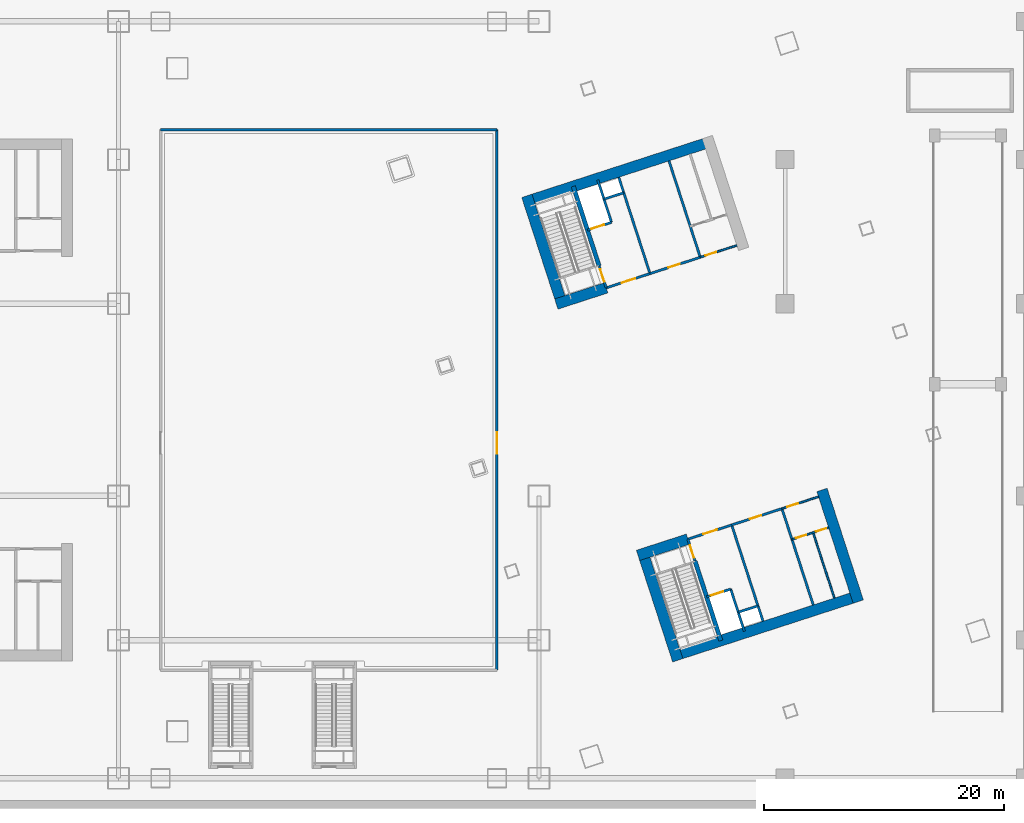
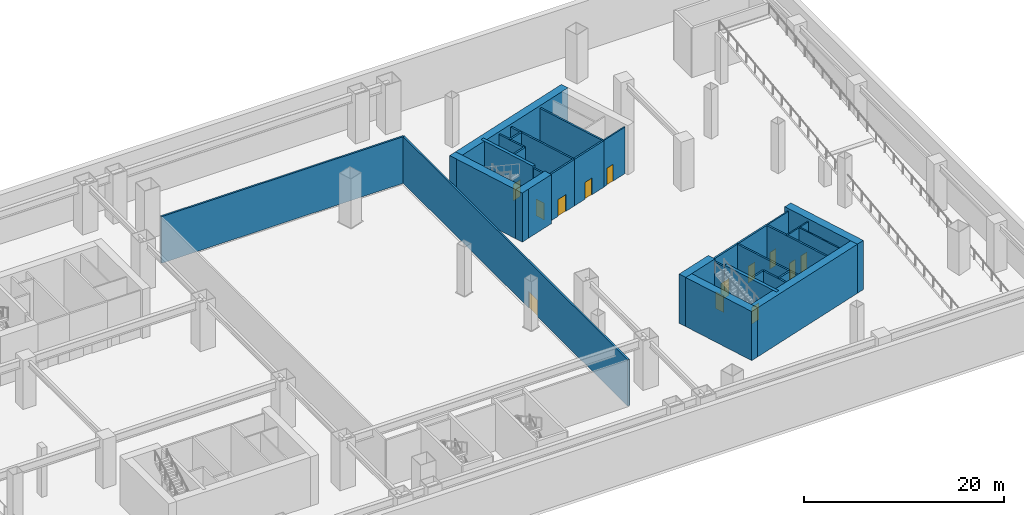
# One storey, part 9 of 20: 31 walls, 13 doors, 13 openings.
"""IFC4 building model written with IfcOpenShell, lengths in metres."""

import ifcopenshell
import ifcopenshell.guid

model = None  # the IFC model being written
_history = None  # IfcOwnerHistory: only IFC2X3 demands one
_inside = {}  # id of a spatial element -> (the spatial element, [elements in it])
_under = {}  # id of a project, library or spatial element -> (it, [spatial elements below it])
_declared = {}  # id of a project -> (the project, [libraries it declares])
_typed = {}  # id of a type object -> (the type object, [elements of that type])
_made_of = {}  # id of a material, layer set ... -> (it, [elements and type objects made of it])


def new_model(schema):
    """Start an empty IFC model of exactly this schema.

    Asked for "IFC4X3", IfcOpenShell would pick the latest addendum, in which some entities
    have other attributes; the version numbers below select the first issue.
    IFC2X3 requires an IfcOwnerHistory on every rooted entity: one is made here for all.
    """
    global model, _history
    if schema == "IFC4X3":
        model = ifcopenshell.file(schema_version=(4, 3, 0, 0))
    else:
        model = ifcopenshell.file(schema=schema)
    _inside.clear()
    _under.clear()
    _declared.clear()
    _typed.clear()
    _made_of.clear()
    _history = None
    if model.schema == "IFC2X3":
        org = make("IfcOrganization", Name="unknown")
        user = make(
            "IfcPersonAndOrganization",
            ThePerson=make("IfcPerson", FamilyName="unknown"),
            TheOrganization=org,
        )
        app = make(
            "IfcApplication",
            ApplicationDeveloper=org,
            Version="unknown",
            ApplicationFullName="unknown",
            ApplicationIdentifier="unknown",
        )
        _history = make(
            "IfcOwnerHistory",
            OwningUser=user,
            OwningApplication=app,
            ChangeAction="ADDED",
            CreationDate=0,
        )
    return model


def make(cls, **values):
    """One entity of the class cls with the attributes given. An attribute that is None is left unset."""
    return model.create_entity(
        cls, **{name: value for name, value in values.items() if value is not None}
    )


def rooted(cls, **values):
    """An entity with a GlobalId (a new one), such as an element, a storey or a relation."""
    return make(cls, GlobalId=ifcopenshell.guid.new(), OwnerHistory=_history, **values)


def si_unit(unit_type, name, prefix=None):
    """IfcSIUnit, for example si_unit("LENGTHUNIT", "METRE", prefix="MILLI")."""
    return make("IfcSIUnit", UnitType=unit_type, Prefix=prefix, Name=name)


def assignment(units):
    """IfcUnitAssignment: the units of a project."""
    return None if units is None else make("IfcUnitAssignment", Units=units)


def point(xyz):
    """IfcCartesianPoint."""
    return None if xyz is None else make("IfcCartesianPoint", Coordinates=xyz)


def direction(xyz):
    """IfcDirection."""
    return None if xyz is None else make("IfcDirection", DirectionRatios=xyz)


def frame(location, z_axis=None, x_axis=None):
    """IfcAxis2Placement3D, a coordinate frame: its origin and axes. An axis left out is left unset."""
    return make(
        "IfcAxis2Placement3D",
        Location=point(location),
        Axis=direction(z_axis),
        RefDirection=direction(x_axis),
    )


def frame_2d(location, x_axis=None):
    """IfcAxis2Placement2D, a coordinate frame in the plane: its origin and x axis."""
    return make(
        "IfcAxis2Placement2D", Location=point(location), RefDirection=direction(x_axis)
    )


def origin():
    """The frame at (0, 0, 0) with its axes left unset."""
    return frame((0.0, 0.0, 0.0))


def place(relative_to, where):
    """IfcLocalPlacement: puts the frame where relative to a parent placement (None: the world)."""
    return make(
        "IfcLocalPlacement", PlacementRelTo=relative_to, RelativePlacement=where
    )


def context(
    kind, dimensions, precision=None, world=None, true_north=None, identifier=None
):
    """IfcGeometricRepresentationContext, for example the 3D "Model" context."""
    return make(
        "IfcGeometricRepresentationContext",
        ContextIdentifier=identifier,
        ContextType=kind,
        CoordinateSpaceDimension=dimensions,
        Precision=precision,
        WorldCoordinateSystem=world,
        TrueNorth=true_north,
    )


def subcontext(parent, identifier, kind, view, scale=None):
    """IfcGeometricRepresentationSubContext, for example "Body" below "Model"."""
    return make(
        "IfcGeometricRepresentationSubContext",
        ContextIdentifier=identifier,
        ContextType=kind,
        ParentContext=parent,
        TargetScale=scale,
        TargetView=view,
    )


def project(units=None, contexts=None):
    """IfcProject with its units and contexts."""
    return rooted(
        "IfcProject",
        Name="project",
        RepresentationContexts=contexts,
        UnitsInContext=assignment(units),
    )


def spatial(cls, under=None, at=None, **own):
    """A site, building, storey or space (cls), placed at a placement, below another one or the project."""
    s = rooted(cls, ObjectPlacement=at, **own)
    if under is not None:
        _under.setdefault(under.id(), (under, []))[1].append(s)
    return s


def profile(cls, at=None, kind="AREA", **sizes):
    """A parametric profile (cls). Its sizes go by their IFC names, for example OverallWidth=200.0."""
    return make(cls, ProfileType=kind, Position=at, **sizes)


def rectangle(**sizes):
    """IfcRectangleProfileDef."""
    return profile("IfcRectangleProfileDef", **sizes)


def extrude(swept, where, along, depth):
    """IfcExtrudedAreaSolid: the profile swept, set in the frame where, extruded along a direction by depth."""
    return make(
        "IfcExtrudedAreaSolid",
        SweptArea=swept,
        Position=where,
        ExtrudedDirection=direction(along),
        Depth=depth,
    )


def shape(context_of_items, identifier, shape_type, items):
    """IfcShapeRepresentation: the items that make up one representation, for example the "Body"."""
    return make(
        "IfcShapeRepresentation",
        ContextOfItems=context_of_items,
        RepresentationIdentifier=identifier,
        RepresentationType=shape_type,
        Items=items,
    )


def material(Name=None, Category=None):
    """IfcMaterial."""
    return make("IfcMaterial", Name=Name, Category=Category)


def layer(
    of_material, thickness, ventilated=None, Name=None, Category=None, Priority=None
):
    """IfcMaterialLayer: one layer of a wall or slab, of a material (None: an air gap)."""
    return make(
        "IfcMaterialLayer",
        Material=of_material,
        LayerThickness=thickness,
        IsVentilated=ventilated,
        Name=Name,
        Category=Category,
        Priority=Priority,
    )


def layer_set(layers, Name=None):
    """IfcMaterialLayerSet."""
    return make("IfcMaterialLayerSet", MaterialLayers=layers, LayerSetName=Name)


def made_of(thing, what):
    """Note that an element or type object is made of a material, layer set ...; save() writes the relation."""
    if what is not None:
        _made_of.setdefault(what.id(), (what, []))[1].append(thing)
    return thing


def type_object(cls, material=None, **own):
    """A type object (cls), such as IfcWallType, which elements share."""
    return made_of(rooted(cls, **own), material)


def element(
    cls,
    number,
    at=None,
    inside=None,
    cuts=None,
    type_object=None,
    material=None,
    context=None,
    identifier="Body",
    shape_type=None,
    held_by="IfcProductDefinitionShape",
    body=None,
    shapes=None,
    **own,
):
    """One element of the class cls, such as IfcWall. Its Tag is "e" and its number.

    at: its placement. inside: the storey or other place that contains it. cuts: it is an
    opening in that element (IfcRelVoidsElement). A single representation is given by context,
    identifier, shape_type and body (its items); several are given by shapes. held_by: the class
    of the entity that holds the representations. save() writes the other relations.
    """
    e = rooted(cls, Tag="e%d" % number, ObjectPlacement=at, **own)
    if body is not None:
        shapes = [shape(context, identifier, shape_type, body)]
    if shapes is not None:
        e.Representation = make(held_by, Representations=shapes)
    if inside is not None:
        _inside.setdefault(inside.id(), (inside, []))[1].append(e)
    if cuts is not None:
        rooted(
            "IfcRelVoidsElement", RelatingBuildingElement=cuts, RelatedOpeningElement=e
        )
    if type_object is not None:
        _typed.setdefault(type_object.id(), (type_object, []))[1].append(e)
    return made_of(e, material)


def fill(opening, filler):
    """IfcRelFillsElement: the door or window that sits in an opening."""
    return rooted(
        "IfcRelFillsElement",
        RelatingOpeningElement=opening,
        RelatedBuildingElement=filler,
    )


def aggregate(whole, parts):
    """IfcRelAggregates: a whole, such as a stair, and the parts it consists of."""
    return rooted("IfcRelAggregates", RelatingObject=whole, RelatedObjects=parts)


def save(model, path):
    """Write the relations noted so far, then the file.

    IfcRelAggregates (storeys below a building ...), IfcRelContainedInSpatialStructure (elements
    in a storey), IfcRelDefinesByType, IfcRelAssociatesMaterial and IfcRelDeclares: one each for
    every whole, place, type object, material and project.
    """
    for whole, parts in _under.values():
        aggregate(whole, parts)
    for where, things in _inside.values():
        rooted(
            "IfcRelContainedInSpatialStructure",
            RelatedElements=things,
            RelatingStructure=where,
        )
    for kind, things in _typed.values():
        rooted("IfcRelDefinesByType", RelatedObjects=things, RelatingType=kind)
    for what, things in _made_of.values():
        rooted("IfcRelAssociatesMaterial", RelatedObjects=things, RelatingMaterial=what)
    for by, libraries in _declared.values():
        rooted("IfcRelDeclares", RelatingContext=by, RelatedDefinitions=libraries)
    model.write(path)


model = new_model("IFC4")

# Units and contexts
model_context = context("Model", 3, precision=1e-05, world=origin(), true_north=direction((0.0, 1.0)))
body_context = subcontext(model_context, "Body", "Model", "MODEL_VIEW")
ifc_project = project(units=[si_unit("LENGTHUNIT", "METRE"), si_unit("AREAUNIT", "SQUARE_METRE"), si_unit("VOLUMEUNIT", "CUBIC_METRE"), si_unit("PLANEANGLEUNIT", "RADIAN"), si_unit("MASSUNIT", "GRAM", prefix="KILO")], contexts=[model_context])

# Site, building, storey
site_placement = place(None, origin())
site = spatial("IfcSite", under=ifc_project, at=site_placement, CompositionType="ELEMENT")
building_placement = place(site_placement, origin())
building = spatial("IfcBuilding", under=site, at=building_placement, Name="Qiaolan Cultural Towers", CompositionType="ELEMENT")
storey_placement = place(building_placement, frame((0.0, 0.0, -6.0)))
storey = spatial("IfcBuildingStorey", under=building, at=storey_placement, Name="B1", CompositionType="ELEMENT", Elevation=-6.0)

# Walls
ifc_material_1 = material(Name="Concrete C50", Category="concrete")
ifc_layer_1 = layer(ifc_material_1, 0.35009765625)
ifc_layer_set_1 = layer_set([ifc_layer_1], Name="Concrete C50")
wall_type_1 = type_object("IfcWallType", Name="WL-CORE-350", PredefinedType="SHEAR", material=ifc_layer_set_1)
for number, where, z_axis, x_axis, name in (
    (1, (90.486328125, 20.59423828125, 0.0), (0.0, 0.0, 1.0), (0.309020428229, -0.951055400562, 0.0), "B1 T2-CS Stair Core Dividing Web"),
    (2, (82.513671875, 45.13134765625, 0.0), (0.0, 0.0, 1.0), (-0.308988790936, 0.951065679686, 0.0), "B1 T2-CN Stair Core Dividing Web"),
):
    element("IfcWall", number, at=place(storey_placement, frame(where, z_axis=z_axis, x_axis=x_axis)), inside=storey, type_object=wall_type_1, Name=name, PredefinedType="SHEAR", context=body_context, shape_type="SweptSolid", body=[
        extrude(rectangle(XDim=6.97998046875, YDim=0.35009765625, at=frame_2d((3.489990234375, 0.0))), origin(), (0.0, 0.0, 1.0), 6.0),
    ])
ifc_material_2 = material(Name="Concrete C60", Category="concrete")
ifc_layer_2 = layer(ifc_material_2, 0.89990234375)
ifc_layer_set_2 = layer_set([ifc_layer_2], Name="Concrete C60")
wall_type_2 = type_object("IfcWallType", Name="WL-CORE-900", PredefinedType="SHEAR", material=ifc_layer_set_2)
wall_1_placement = place(storey_placement, frame((88.4873046875, 12.60546875, 0.0), z_axis=(0.0, 0.0, 1.0), x_axis=(0.951055016115, 0.309021611416, 0.0)))
element("IfcWall", 3, at=wall_1_placement, inside=storey, type_object=wall_type_2, Name="B1 T2-CS Outer Core Shear Wall", PredefinedType="SHEAR", context=body_context, shape_type="SweptSolid", body=[
    extrude(rectangle(XDim=16.699951171875, YDim=0.89990234375, at=frame_2d((8.35009765625, 0.0))), origin(), (0.0, 0.0, 1.0), 6.0),
])
wall_2_placement = place(storey_placement, frame((86.031982421875, 21.617919921875, 0.0), z_axis=(0.0, 0.0, 1.0), x_axis=(0.30901438634, -0.951057363693, 0.0)))
element("IfcWall", 4, at=wall_2_placement, inside=storey, type_object=wall_type_2, Name="B1 T2-CS West Core Shear Wall", PredefinedType="SHEAR", context=body_context, shape_type="SweptSolid", body=[
    extrude(rectangle(XDim=9.7802734375, YDim=0.89990234375, at=frame_2d((4.89013671875, 0.0))), origin(), (0.0, 0.0, 1.0), 6.0),
])
wall_3_placement = place(storey_placement, frame((101.058837890625, 26.500244140625, 0.0), z_axis=(0.0, 0.0, 1.0), x_axis=(0.309021722829, -0.951054979914, 0.0)))
element("IfcWall", 5, at=wall_3_placement, inside=storey, type_object=wall_type_2, Name="B1 T2-CS East Core Shear Wall", PredefinedType="SHEAR", context=body_context, shape_type="SweptSolid", body=[
    extrude(rectangle(XDim=9.780029296875, YDim=0.89990234375, at=frame_2d((4.89013671875, 0.0))), origin(), (0.0, 0.0, 1.0), 6.0),
])
wall_4_placement = place(storey_placement, frame((85.7431640625, 21.05078125, 0.0), z_axis=(0.0, 0.0, 1.0), x_axis=(0.951063623806, 0.308995118848, 0.0)))
element("IfcWall", 6, at=wall_4_placement, inside=storey, type_object=wall_type_2, Name="B1 T2-CS Stair Front Shear Wall", PredefinedType="SHEAR", context=body_context, shape_type="SweptSolid", body=[
    extrude(rectangle(XDim=4.3701171875, YDim=0.89990234375, at=frame_2d((2.18505859375, 0.0))), origin(), (0.0, 0.0, 1.0), 6.0),
])
wall_5_placement = place(storey_placement, frame((76.20068359375, 50.41943359375, 0.0), z_axis=(0.0, 0.0, 1.0), x_axis=(0.951056412142, 0.309017314926, 0.0)))
element("IfcWall", 7, at=wall_5_placement, inside=storey, type_object=wall_type_2, Name="B1 T2-CN Outer Core Shear Wall", PredefinedType="SHEAR", context=body_context, shape_type="SweptSolid", body=[
    extrude(rectangle(XDim=16.7001953125, YDim=0.89990234375, at=frame_2d((8.35009765625, 0.0))), origin(), (0.0, 0.0, 1.0), 6.0),
])
wall_6_placement = place(storey_placement, frame((79.511962890625, 41.68505859375, 0.0), z_axis=(0.0, 0.0, 1.0), x_axis=(-0.309021722829, 0.951054979914, 0.0)))
element("IfcWall", 8, at=wall_6_placement, inside=storey, type_object=wall_type_2, Name="B1 T2-CN West Core Shear Wall", PredefinedType="SHEAR", context=body_context, shape_type="SweptSolid", body=[
    extrude(rectangle(XDim=9.780029296875, YDim=0.89990234375, at=frame_2d((4.89013671875, 0.0))), origin(), (0.0, 0.0, 1.0), 6.0),
])
wall_7_placement = place(storey_placement, frame((78.94482421875, 41.97412109375, 0.0), z_axis=(0.0, 0.0, 1.0), x_axis=(0.951058289404, 0.309011537255, 0.0)))
element("IfcWall", 9, at=wall_7_placement, inside=storey, type_object=wall_type_2, Name="B1 T2-CN Stair Front Shear Wall", PredefinedType="SHEAR", context=body_context, shape_type="SweptSolid", body=[
    extrude(rectangle(XDim=4.369873046875, YDim=0.89990234375, at=frame_2d((2.18505859375, 0.0))), origin(), (0.0, 0.0, 1.0), 6.0),
])

# Wall, opening, door
ifc_material_3 = material(Name="Concrete C35 Fire Wall", Category="concrete")
ifc_layer_3 = layer(ifc_material_3, 0.199951171875)
ifc_layer_set_3 = layer_set([ifc_layer_3], Name="Concrete C35 Fire Wall")
wall_type_3 = type_object("IfcWallType", Name="WL-FIRE-200", PredefinedType="PARTITIONING", material=ifc_layer_set_3)
wall_8_placement = place(storey_placement, frame((89.8994140625, 22.401123046875, 0.0), z_axis=(0.0, 0.0, 1.0), x_axis=(0.308932062672, -0.951084108086, 0.0)))
wall_8 = element("IfcWall", 10, at=wall_8_placement, inside=storey, type_object=wall_type_3, Name="B1 T2-CS Smokeproof Stair Entry Wall", PredefinedType="PARTITIONING", context=body_context, shape_type="SweptSolid", body=[
    extrude(rectangle(XDim=1.89990234375, YDim=0.199951171875, at=frame_2d((0.949951171875, 0.0))), origin(), (0.0, 0.0, 1.0), 5.68505859375),
])
opening_1_placement = place(wall_8_placement, frame((0.52001953125, 0.0, 0.0)))
opening_1 = element("IfcOpeningElement", 11, at=opening_1_placement, cuts=wall_8, Name="Opening FD-04", PredefinedType="OPENING", context=body_context, shape_type="SweptSolid", body=[
    extrude(rectangle(XDim=1.10009765625, YDim=2.050048828125, at=frame_2d((0.550048828125, 1.02490234375))), frame((0.0, 0.10986328125, 0.0), z_axis=(0.0, -1.0, 0.0), x_axis=(1.0, 0.0, 0.0)), (0.0, 0.0, 1.0), 0.219970703125),
])
ifc_material_4 = material(Name="Galvanized Steel Command Fire Door", Category="steel")
door_type_1 = type_object("IfcDoorType", Name="DR-FD90-1100", OperationType="NOTDEFINED", PredefinedType="DOOR", material=ifc_material_4)
door_1_placement = place(opening_1_placement, origin())
door_1 = element("IfcDoor", 12, at=door_1_placement, inside=storey, type_object=door_type_1, Name="B1 ST-E1 Smokeproof Stair Fire Door", OperationType="SINGLE_SWING_LEFT", OverallHeight=2.050048828125, OverallWidth=1.10009765625, PredefinedType="DOOR", context=body_context, shape_type="SweptSolid", body=[
    extrude(rectangle(XDim=1.10009765625, YDim=2.050048828125, at=frame_2d((0.550048828125, 1.02490234375))), frame((0.0, 0.02490234375, 0.0), z_axis=(0.0, -1.0, 0.0), x_axis=(1.0, 0.0, 0.0)), (0.0, 0.0, 1.0), 0.050048828125),
])
fill(opening_1, door_1)

# Wall
wall_9_placement = place(storey_placement, frame((93.541748046875, 23.584716796875, 0.0), z_axis=(0.0, 0.0, 1.0), x_axis=(0.309042196757, -0.951048327176, 0.0)))
element("IfcWall", 13, at=wall_9_placement, inside=storey, type_object=wall_type_3, Name="B1 T2-CS Firefighting Zone Wall", PredefinedType="PARTITIONING", context=body_context, shape_type="SweptSolid", body=[
    extrude(rectangle(XDim=8.429931640625, YDim=0.199951171875, at=frame_2d((4.21484375, 0.0))), origin(), (0.0, 0.0, 1.0), 5.68505859375),
])

# Wall, opening, door
wall_10_placement = place(storey_placement, frame((89.8994140625, 22.401123046875, 0.0), z_axis=(0.0, 0.0, 1.0), x_axis=(0.951046716504, 0.309047153403, 0.0)))
wall_10 = element("IfcWall", 14, at=wall_10_placement, inside=storey, type_object=wall_type_3, Name="B1 T2-CS Firefighting Lobby Front Wall", PredefinedType="PARTITIONING", context=body_context, shape_type="SweptSolid", body=[
    extrude(rectangle(XDim=3.829833984375, YDim=0.199951171875, at=frame_2d((1.9150390625, 0.0))), origin(), (0.0, 0.0, 1.0), 5.68505859375),
])
opening_2_placement = place(wall_10_placement, frame((1.35009765625, 0.0, 0.0)))
opening_2 = element("IfcOpeningElement", 15, at=opening_2_placement, cuts=wall_10, Name="Opening FD-03", PredefinedType="OPENING", context=body_context, shape_type="SweptSolid", body=[
    extrude(rectangle(XDim=1.199951171875, YDim=2.050048828125, at=frame_2d((0.60009765625, 1.02490234375))), frame((0.0, 0.10986328125, 0.0), z_axis=(0.0, -1.0, 0.0), x_axis=(1.0, 0.0, 0.0)), (0.0, 0.0, 1.0), 0.219970703125),
])
ifc_material_5 = material(Name="Galvanized Steel Smokeproof Lobby Fire Door", Category="steel")
door_type_2 = type_object("IfcDoorType", Name="DR-FD90-1200", OperationType="NOTDEFINED", PredefinedType="DOOR", material=ifc_material_5)
door_2_placement = place(opening_2_placement, origin())
door_2 = element("IfcDoor", 16, at=door_2_placement, inside=storey, type_object=door_type_2, Name="B1 FFL-E1 Firefighting Lobby Fire Door", OperationType="SINGLE_SWING_LEFT", OverallHeight=2.050048828125, OverallWidth=1.199951171875, PredefinedType="DOOR", context=body_context, shape_type="SweptSolid", body=[
    extrude(rectangle(XDim=1.199951171875, YDim=2.050048828125, at=frame_2d((0.60009765625, 1.02490234375))), frame((0.0, 0.02490234375, 0.0), z_axis=(0.0, -1.0, 0.0), x_axis=(1.0, 0.0, 0.0)), (0.0, 0.0, 1.0), 0.050048828125),
])
fill(opening_2, door_2)

wall_11_placement = place(storey_placement, frame((91.459716796875, 17.598388671875, 0.0), z_axis=(0.0, 0.0, 1.0), x_axis=(0.951062257173, 0.308999325213, 0.0)))
wall_11 = element("IfcWall", 17, at=wall_11_placement, inside=storey, type_object=wall_type_3, Name="B1 T2-CS Firefighting Shaft Front Wall", PredefinedType="PARTITIONING", context=body_context, shape_type="SweptSolid", body=[
    extrude(rectangle(XDim=2.10009765625, YDim=0.199951171875, at=frame_2d((1.050048828125, 0.0))), origin(), (0.0, 0.0, 1.0), 5.68505859375),
])
opening_3_placement = place(wall_11_placement, frame((0.35009765625, 0.0, 0.0)))
opening_3 = element("IfcOpeningElement", 18, at=opening_3_placement, cuts=wall_11, Name="Opening LD-01", PredefinedType="OPENING", context=body_context, shape_type="SweptSolid", body=[
    extrude(rectangle(XDim=1.10009765625, YDim=2.050048828125, at=frame_2d((0.550048828125, 1.02490234375))), frame((0.0, 0.10986328125, 0.0), z_axis=(0.0, -1.0, 0.0), x_axis=(1.0, 0.0, 0.0)), (0.0, 0.0, 1.0), 0.219970703125),
])
ifc_material_6 = material(Name="Brushed Stainless Steel S30408 Centre-Parting Lift Landing Door", Category="steel")
door_type_3 = type_object("IfcDoorType", Name="DR-LIFT-1100", OperationType="NOTDEFINED", PredefinedType="DOOR", material=ifc_material_6)
door_3_placement = place(opening_3_placement, origin())
door_3 = element("IfcDoor", 19, at=door_3_placement, inside=storey, type_object=door_type_3, Name="B1 FFL-E1 Firefighting Lift Landing Door", OperationType="DOUBLE_DOOR_SLIDING", OverallHeight=2.050048828125, OverallWidth=1.10009765625, PredefinedType="DOOR", context=body_context, shape_type="SweptSolid", body=[
    extrude(rectangle(XDim=1.10009765625, YDim=2.050048828125, at=frame_2d((0.550048828125, 1.02490234375))), frame((0.0, 0.02490234375, 0.0), z_axis=(0.0, -1.0, 0.0), x_axis=(1.0, 0.0, 0.0)), (0.0, 0.0, 1.0), 0.050048828125),
])
fill(opening_3, door_3)

# Walls
wall_12_placement = place(storey_placement, frame((93.45703125, 18.247314453125, 0.0), z_axis=(0.0, 0.0, 1.0), x_axis=(0.3089935693, -0.951064127245, 0.0)))
element("IfcWall", 20, at=wall_12_placement, inside=storey, type_object=wall_type_3, Name="B1 T2-CS Firefighting Hoistway East Wall", PredefinedType="PARTITIONING", context=body_context, shape_type="SweptSolid", body=[
    extrude(rectangle(XDim=3.7001953125, YDim=0.199951171875, at=frame_2d((1.85009765625, 0.0))), origin(), (0.0, 0.0, 1.0), 5.68505859375),
])
wall_13_placement = place(storey_placement, frame((94.08447265625, 16.316650390625, 0.0), z_axis=(0.0, 0.0, 1.0), x_axis=(0.951041328149, 0.309063734775, 0.0)))
element("IfcWall", 21, at=wall_13_placement, inside=storey, type_object=wall_type_3, Name="B1 T2-CS Pressurization Shaft Front Wall", PredefinedType="PARTITIONING", context=body_context, shape_type="SweptSolid", body=[
    extrude(rectangle(XDim=1.72998046875, YDim=0.199951171875, at=frame_2d((0.864990234375, 0.0))), origin(), (0.0, 0.0, 1.0), 5.68505859375),
])
wall_14_placement = place(storey_placement, frame((97.7265625, 24.9443359375, 0.0), z_axis=(0.0, 0.0, 1.0), x_axis=(0.309016001439, -0.951056838919, 0.0)))
element("IfcWall", 22, at=wall_14_placement, inside=storey, type_object=wall_type_3, Name="B1 T2-CS Lift Core East Wall", PredefinedType="PARTITIONING", context=body_context, shape_type="SweptSolid", body=[
    extrude(rectangle(XDim=8.429931640625, YDim=0.199951171875, at=frame_2d((4.21484375, 0.0))), origin(), (0.0, 0.0, 1.0), 5.68505859375),
])

# Wall, opening, door
wall_15_placement = place(storey_placement, frame((93.541748046875, 23.584716796875, 0.0), z_axis=(0.0, 0.0, 1.0), x_axis=(0.951063829732, 0.308994485023, 0.0)))
wall_15 = element("IfcWall", 23, at=wall_15_placement, inside=storey, type_object=wall_type_3, Name="B1 T2-CS Basement Core Store Front Wall", PredefinedType="PARTITIONING", context=body_context, shape_type="SweptSolid", body=[
    extrude(rectangle(XDim=4.400146484375, YDim=0.199951171875, at=frame_2d((2.2001953125, 0.0))), origin(), (0.0, 0.0, 1.0), 5.68505859375),
])
opening_4_placement = place(wall_15_placement, frame((1.60009765625, 0.0, 0.0)))
opening_4 = element("IfcOpeningElement", 24, at=opening_4_placement, cuts=wall_15, Name="Opening FD-07", PredefinedType="OPENING", context=body_context, shape_type="SweptSolid", body=[
    extrude(rectangle(XDim=1.0, YDim=2.050048828125, at=frame_2d((0.5, 1.02490234375))), frame((0.0, 0.10986328125, 0.0), z_axis=(0.0, -1.0, 0.0), x_axis=(1.0, 0.0, 0.0)), (0.0, 0.0, 1.0), 0.219970703125),
])
ifc_material_7 = material(Name="Painted Steel Riser Fire Door", Category="steel")
door_type_4 = type_object("IfcDoorType", Name="DR-FD60-1000", OperationType="NOTDEFINED", PredefinedType="DOOR", material=ifc_material_7)
door_4_placement = place(opening_4_placement, origin())
door_4 = element("IfcDoor", 25, at=door_4_placement, inside=storey, type_object=door_type_4, Name="B1 Core Maintenance Store Door", OperationType="SINGLE_SWING_LEFT", OverallHeight=2.050048828125, OverallWidth=1.0, PredefinedType="DOOR", context=body_context, shape_type="SweptSolid", body=[
    extrude(rectangle(XDim=1.0, YDim=2.050048828125, at=frame_2d((0.5, 1.02490234375))), frame((0.0, 0.02490234375, 0.0), z_axis=(0.0, -1.0, 0.0), x_axis=(1.0, 0.0, 0.0)), (0.0, 0.0, 1.0), 0.050048828125),
])
fill(opening_4, door_4)

wall_16_placement = place(storey_placement, frame((83.100830078125, 43.324462890625, 0.0), z_axis=(0.0, 0.0, 1.0), x_axis=(-0.309048298632, 0.951046344356, 0.0)))
wall_16 = element("IfcWall", 26, at=wall_16_placement, inside=storey, type_object=wall_type_3, Name="B1 T2-CN Smokeproof Stair Entry Wall", PredefinedType="PARTITIONING", context=body_context, shape_type="SweptSolid", body=[
    extrude(rectangle(XDim=1.89990234375, YDim=0.199951171875, at=frame_2d((0.949951171875, 0.0))), origin(), (0.0, 0.0, 1.0), 5.68505859375),
])
opening_5_placement = place(wall_16_placement, frame((0.52001953125, 0.0, 0.0)))
opening_5 = element("IfcOpeningElement", 27, at=opening_5_placement, cuts=wall_16, Name="Opening FD-04", PredefinedType="OPENING", context=body_context, shape_type="SweptSolid", body=[
    extrude(rectangle(XDim=1.10009765625, YDim=2.050048828125, at=frame_2d((0.550048828125, 1.02490234375))), frame((0.0, 0.10986328125, 0.0), z_axis=(0.0, -1.0, 0.0), x_axis=(1.0, 0.0, 0.0)), (0.0, 0.0, 1.0), 0.219970703125),
])
door_5_placement = place(opening_5_placement, origin())
door_5 = element("IfcDoor", 28, at=door_5_placement, inside=storey, type_object=door_type_1, Name="B1 ST-E2 Smokeproof Stair Fire Door", OperationType="SINGLE_SWING_LEFT", OverallHeight=2.050048828125, OverallWidth=1.10009765625, PredefinedType="DOOR", context=body_context, shape_type="SweptSolid", body=[
    extrude(rectangle(XDim=1.10009765625, YDim=2.050048828125, at=frame_2d((0.550048828125, 1.02490234375))), frame((0.0, 0.02490234375, 0.0), z_axis=(0.0, -1.0, 0.0), x_axis=(1.0, 0.0, 0.0)), (0.0, 0.0, 1.0), 0.050048828125),
])
fill(opening_5, door_5)

# Wall
wall_17_placement = place(storey_placement, frame((86.743408203125, 44.508056640625, 0.0), z_axis=(0.0, 0.0, 1.0), x_axis=(-0.309016001439, 0.951056838919, 0.0)))
element("IfcWall", 29, at=wall_17_placement, inside=storey, type_object=wall_type_3, Name="B1 T2-CN Firefighting Zone Wall", PredefinedType="PARTITIONING", context=body_context, shape_type="SweptSolid", body=[
    extrude(rectangle(XDim=8.429931640625, YDim=0.199951171875, at=frame_2d((4.21484375, 0.0))), origin(), (0.0, 0.0, 1.0), 5.68505859375),
])

# Wall, opening, door
wall_18_placement = place(storey_placement, frame((83.100830078125, 43.324462890625, 0.0), z_axis=(0.0, 0.0, 1.0), x_axis=(0.951052804469, 0.309028417967, 0.0)))
wall_18 = element("IfcWall", 30, at=wall_18_placement, inside=storey, type_object=wall_type_3, Name="B1 T2-CN Firefighting Lobby Front Wall", PredefinedType="PARTITIONING", context=body_context, shape_type="SweptSolid", body=[
    extrude(rectangle(XDim=3.830078125, YDim=0.199951171875, at=frame_2d((1.9150390625, 0.0))), origin(), (0.0, 0.0, 1.0), 5.68505859375),
])
opening_6_placement = place(wall_18_placement, frame((1.35009765625, 0.0, 0.0)))
opening_6 = element("IfcOpeningElement", 31, at=opening_6_placement, cuts=wall_18, Name="Opening FD-03", PredefinedType="OPENING", context=body_context, shape_type="SweptSolid", body=[
    extrude(rectangle(XDim=1.199951171875, YDim=2.050048828125, at=frame_2d((0.60009765625, 1.02490234375))), frame((0.0, 0.10986328125, 0.0), z_axis=(0.0, -1.0, 0.0), x_axis=(1.0, 0.0, 0.0)), (0.0, 0.0, 1.0), 0.219970703125),
])
door_6_placement = place(opening_6_placement, origin())
door_6 = element("IfcDoor", 32, at=door_6_placement, inside=storey, type_object=door_type_2, Name="B1 FFL-E2 Firefighting Lobby Fire Door", OperationType="SINGLE_SWING_LEFT", OverallHeight=2.050048828125, OverallWidth=1.199951171875, PredefinedType="DOOR", context=body_context, shape_type="SweptSolid", body=[
    extrude(rectangle(XDim=1.199951171875, YDim=2.050048828125, at=frame_2d((0.60009765625, 1.02490234375))), frame((0.0, 0.02490234375, 0.0), z_axis=(0.0, -1.0, 0.0), x_axis=(1.0, 0.0, 0.0)), (0.0, 0.0, 1.0), 0.050048828125),
])
fill(opening_6, door_6)

wall_19_placement = place(storey_placement, frame((81.540283203125, 48.127197265625, 0.0), z_axis=(0.0, 0.0, 1.0), x_axis=(0.951062257173, 0.308999325213, 0.0)))
wall_19 = element("IfcWall", 33, at=wall_19_placement, inside=storey, type_object=wall_type_3, Name="B1 T2-CN Firefighting Shaft Front Wall", PredefinedType="PARTITIONING", context=body_context, shape_type="SweptSolid", body=[
    extrude(rectangle(XDim=2.10009765625, YDim=0.199951171875, at=frame_2d((1.050048828125, 0.0))), origin(), (0.0, 0.0, 1.0), 5.68505859375),
])
opening_7_placement = place(wall_19_placement, frame((0.35009765625, 0.0, 0.0)))
opening_7 = element("IfcOpeningElement", 34, at=opening_7_placement, cuts=wall_19, Name="Opening LD-01", PredefinedType="OPENING", context=body_context, shape_type="SweptSolid", body=[
    extrude(rectangle(XDim=1.10009765625, YDim=2.050048828125, at=frame_2d((0.550048828125, 1.02490234375))), frame((0.0, 0.10986328125, 0.0), z_axis=(0.0, -1.0, 0.0), x_axis=(1.0, 0.0, 0.0)), (0.0, 0.0, 1.0), 0.219970703125),
])
door_7_placement = place(opening_7_placement, origin())
door_7 = element("IfcDoor", 35, at=door_7_placement, inside=storey, type_object=door_type_3, Name="B1 FFL-E2 Firefighting Lift Landing Door", OperationType="DOUBLE_DOOR_SLIDING", OverallHeight=2.050048828125, OverallWidth=1.10009765625, PredefinedType="DOOR", context=body_context, shape_type="SweptSolid", body=[
    extrude(rectangle(XDim=1.10009765625, YDim=2.050048828125, at=frame_2d((0.550048828125, 1.02490234375))), frame((0.0, 0.02490234375, 0.0), z_axis=(0.0, -1.0, 0.0), x_axis=(1.0, 0.0, 0.0)), (0.0, 0.0, 1.0), 0.050048828125),
])
fill(opening_7, door_7)

# Walls
wall_20_placement = place(storey_placement, frame((83.53759765625, 48.776123046875, 0.0), z_axis=(0.0, 0.0, 1.0), x_axis=(-0.3089935693, 0.951064127245, 0.0)))
element("IfcWall", 36, at=wall_20_placement, inside=storey, type_object=wall_type_3, Name="B1 T2-CN Firefighting Hoistway East Wall", PredefinedType="PARTITIONING", context=body_context, shape_type="SweptSolid", body=[
    extrude(rectangle(XDim=3.7001953125, YDim=0.199951171875, at=frame_2d((1.85009765625, 0.0))), origin(), (0.0, 0.0, 1.0), 5.68505859375),
])
wall_21_placement = place(storey_placement, frame((82.910400390625, 50.706787109375, 0.0), z_axis=(0.0, 0.0, 1.0), x_axis=(0.951041328149, 0.309063734775, 0.0)))
element("IfcWall", 37, at=wall_21_placement, inside=storey, type_object=wall_type_3, Name="B1 T2-CN Pressurization Shaft Front Wall", PredefinedType="PARTITIONING", context=body_context, shape_type="SweptSolid", body=[
    extrude(rectangle(XDim=1.72998046875, YDim=0.199951171875, at=frame_2d((0.864990234375, 0.0))), origin(), (0.0, 0.0, 1.0), 5.68505859375),
])
wall_22_placement = place(storey_placement, frame((90.92822265625, 45.86767578125, 0.0), z_axis=(0.0, 0.0, 1.0), x_axis=(-0.309042196757, 0.951048327176, 0.0)))
element("IfcWall", 38, at=wall_22_placement, inside=storey, type_object=wall_type_3, Name="B1 T2-CN Lift Core East Wall", PredefinedType="PARTITIONING", context=body_context, shape_type="SweptSolid", body=[
    extrude(rectangle(XDim=8.429931640625, YDim=0.199951171875, at=frame_2d((4.21484375, 0.0))), origin(), (0.0, 0.0, 1.0), 5.68505859375),
])

# Wall, opening, door
wall_23_placement = place(storey_placement, frame((86.743408203125, 44.508056640625, 0.0), z_axis=(0.0, 0.0, 1.0), x_axis=(0.951063829732, 0.308994485023, 0.0)))
wall_23 = element("IfcWall", 39, at=wall_23_placement, inside=storey, type_object=wall_type_3, Name="B1 T2-CN Basement Core Store Front Wall", PredefinedType="PARTITIONING", context=body_context, shape_type="SweptSolid", body=[
    extrude(rectangle(XDim=4.400146484375, YDim=0.199951171875, at=frame_2d((2.2001953125, 0.0))), origin(), (0.0, 0.0, 1.0), 5.68505859375),
])
opening_8_placement = place(wall_23_placement, frame((1.60009765625, 0.0, 0.0)))
opening_8 = element("IfcOpeningElement", 40, at=opening_8_placement, cuts=wall_23, Name="Opening FD-07", PredefinedType="OPENING", context=body_context, shape_type="SweptSolid", body=[
    extrude(rectangle(XDim=1.0, YDim=2.050048828125, at=frame_2d((0.5, 1.02490234375))), frame((0.0, 0.10986328125, 0.0), z_axis=(0.0, -1.0, 0.0), x_axis=(1.0, 0.0, 0.0)), (0.0, 0.0, 1.0), 0.219970703125),
])
door_8_placement = place(opening_8_placement, origin())
door_8 = element("IfcDoor", 41, at=door_8_placement, inside=storey, type_object=door_type_4, Name="B1 Core Maintenance Store Door", OperationType="SINGLE_SWING_LEFT", OverallHeight=2.050048828125, OverallWidth=1.0, PredefinedType="DOOR", context=body_context, shape_type="SweptSolid", body=[
    extrude(rectangle(XDim=1.0, YDim=2.050048828125, at=frame_2d((0.5, 1.02490234375))), frame((0.0, 0.02490234375, 0.0), z_axis=(0.0, -1.0, 0.0), x_axis=(1.0, 0.0, 0.0)), (0.0, 0.0, 1.0), 0.050048828125),
])
fill(opening_8, door_8)

wall_24_placement = place(storey_placement, frame((74.0, 11.5, 0.0), z_axis=(0.0, 0.0, 1.0), x_axis=(0.0, 1.0, 0.0)))
wall_24 = element("IfcWall", 42, at=wall_24_placement, inside=storey, type_object=wall_type_3, Name="B1 Podium Partition B1-MCE", PredefinedType="PARTITIONING", context=body_context, shape_type="SweptSolid", body=[
    extrude(rectangle(XDim=45.0, YDim=0.199951171875, at=frame_2d((22.5, 0.0))), origin(), (0.0, 0.0, 1.0), 5.68505859375),
])
opening_9_placement = place(wall_24_placement, frame((18.0, 0.0, 0.0)))
opening_9 = element("IfcOpeningElement", 43, at=opening_9_placement, cuts=wall_24, Name="Opening FD-01", PredefinedType="OPENING", context=body_context, shape_type="SweptSolid", body=[
    extrude(rectangle(XDim=1.800048828125, YDim=2.050048828125, at=frame_2d((0.89990234375, 1.02490234375))), frame((0.0, 0.10986328125, 0.0), z_axis=(0.0, -1.0, 0.0), x_axis=(1.0, 0.0, 0.0)), (0.0, 0.0, 1.0), 0.219970703125),
])
ifc_material_8 = material(Name="Galvanized Steel Acoustic Fire Door", Category="steel")
door_type_5 = type_object("IfcDoorType", Name="DR-FD90-1800", OperationType="NOTDEFINED", PredefinedType="DOOR", material=ifc_material_8)
door_9_placement = place(opening_9_placement, origin())
door_9 = element("IfcDoor", 44, at=door_9_placement, inside=storey, type_object=door_type_5, Name="B1 Metro East Concourse Gate", OperationType="SINGLE_SWING_RIGHT", OverallHeight=2.050048828125, OverallWidth=1.800048828125, PredefinedType="DOOR", context=body_context, shape_type="SweptSolid", body=[
    extrude(rectangle(XDim=1.800048828125, YDim=2.050048828125, at=frame_2d((0.89990234375, 1.02490234375))), frame((0.0, 0.02490234375, 0.0), z_axis=(0.0, -1.0, 0.0), x_axis=(1.0, 0.0, 0.0)), (0.0, 0.0, 1.0), 0.050048828125),
])
fill(opening_9, door_9)

# Wall
wall_25_placement = place(storey_placement, frame((46.0, 56.5, 0.0), z_axis=(0.0, 0.0, 1.0), x_axis=(1.0, 0.0, 0.0)))
element("IfcWall", 45, at=wall_25_placement, inside=storey, type_object=wall_type_3, Name="B1 Podium Partition B1-MCN", PredefinedType="PARTITIONING", context=body_context, shape_type="SweptSolid", body=[
    extrude(rectangle(XDim=28.0, YDim=0.199951171875, at=frame_2d((14.0, 0.0))), origin(), (0.0, 0.0, 1.0), 5.68505859375),
])

# Wall, opening, door
ifc_material_9 = material(Name="Autoclaved Aerated Concrete Block B06", Category="concrete")
ifc_layer_4 = layer(ifc_material_9, 0.14990234375)
ifc_layer_set_4 = layer_set([ifc_layer_4], Name="Autoclaved Aerated Concrete Block B06")
wall_type_4 = type_object("IfcWallType", Name="WL-PART-150", PredefinedType="PARTITIONING", material=ifc_layer_set_4)
wall_26_placement = place(storey_placement, frame((97.7265625, 24.9443359375, 0.0), z_axis=(0.0, 0.0, 1.0), x_axis=(0.951036872128, 0.309077446369, 0.0)))
wall_26 = element("IfcWall", 46, at=wall_26_placement, inside=storey, type_object=wall_type_4, Name="B1 T2-CS Sanitary Core Front Wall", PredefinedType="PARTITIONING", context=body_context, shape_type="SweptSolid", body=[
    extrude(rectangle(XDim=3.199951171875, YDim=0.14990234375, at=frame_2d((1.60009765625, 0.0))), origin(), (0.0, 0.0, 1.0), 5.68505859375),
])
opening_10_placement = place(wall_26_placement, frame((0.449951171875, 0.0, 0.0)))
opening_10 = element("IfcOpeningElement", 47, at=opening_10_placement, cuts=wall_26, Name="Opening ID-05", PredefinedType="OPENING", context=body_context, shape_type="SweptSolid", body=[
    extrude(rectangle(XDim=0.949951171875, YDim=2.050048828125, at=frame_2d((0.47509765625, 1.02490234375))), frame((0.0, 0.0849609375, 0.0), z_axis=(0.0, -1.0, 0.0), x_axis=(1.0, 0.0, 0.0)), (0.0, 0.0, 1.0), 0.169921875),
])
ifc_material_10 = material(Name="Fire-Rated Laminate Accessible Core Door", Category="timber")
door_type_6 = type_object("IfcDoorType", Name="DR-INT-950", OperationType="NOTDEFINED", PredefinedType="DOOR", material=ifc_material_10)
door_10_placement = place(opening_10_placement, origin())
door_10 = element("IfcDoor", 48, at=door_10_placement, inside=storey, type_object=door_type_6, Name="B1 Sanitary Vestibule Door", OperationType="SINGLE_SWING_LEFT", OverallHeight=2.050048828125, OverallWidth=0.949951171875, PredefinedType="DOOR", context=body_context, shape_type="SweptSolid", body=[
    extrude(rectangle(XDim=0.949951171875, YDim=2.050048828125, at=frame_2d((0.47509765625, 1.02490234375))), frame((0.0, 0.02490234375, 0.0), z_axis=(0.0, -1.0, 0.0), x_axis=(1.0, 0.0, 0.0)), (0.0, 0.0, 1.0), 0.050048828125),
])
fill(opening_10, door_10)

# Wall, openings, doors
wall_27_placement = place(storey_placement, frame((98.560791015625, 22.37646484375, 0.0), z_axis=(0.0, 0.0, 1.0), x_axis=(0.95104415986, 0.309055020985, 0.0)))
wall_27 = element("IfcWall", 49, at=wall_27_placement, inside=storey, type_object=wall_type_4, Name="B1 T2-CS Restroom Vestibule Wall", PredefinedType="PARTITIONING", context=body_context, shape_type="SweptSolid", body=[
    extrude(rectangle(XDim=3.2001953125, YDim=0.14990234375, at=frame_2d((1.60009765625, 0.0))), origin(), (0.0, 0.0, 1.0), 5.68505859375),
])
opening_11_placement = place(wall_27_placement, frame((0.35009765625, 0.0, 0.0)))
opening_11 = element("IfcOpeningElement", 50, at=opening_11_placement, cuts=wall_27, Name="Opening ID-06", PredefinedType="OPENING", context=body_context, shape_type="SweptSolid", body=[
    extrude(rectangle(XDim=0.89990234375, YDim=2.050048828125, at=frame_2d((0.449951171875, 1.02490234375))), frame((0.0, 0.0849609375, 0.0), z_axis=(0.0, -1.0, 0.0), x_axis=(1.0, 0.0, 0.0)), (0.0, 0.0, 1.0), 0.169921875),
])
opening_12_placement = place(wall_27_placement, frame((2.10009765625, 0.0, 0.0)))
opening_12 = element("IfcOpeningElement", 51, at=opening_12_placement, cuts=wall_27, Name="Opening ID-06", PredefinedType="OPENING", context=body_context, shape_type="SweptSolid", body=[
    extrude(rectangle(XDim=0.89990234375, YDim=2.050048828125, at=frame_2d((0.449951171875, 1.02490234375))), frame((0.0, 0.0849609375, 0.0), z_axis=(0.0, -1.0, 0.0), x_axis=(1.0, 0.0, 0.0)), (0.0, 0.0, 1.0), 0.169921875),
])
ifc_material_11 = material(Name="Fire-Rated Laminate Core Service Door", Category="timber")
door_type_7 = type_object("IfcDoorType", Name="DR-INT-900", OperationType="NOTDEFINED", PredefinedType="DOOR", material=ifc_material_11)
door_11_placement = place(opening_11_placement, origin())
door_11 = element("IfcDoor", 52, at=door_11_placement, inside=storey, type_object=door_type_7, Name="B1 Men Restroom Door", OperationType="SINGLE_SWING_LEFT", OverallHeight=2.050048828125, OverallWidth=0.89990234375, PredefinedType="DOOR", context=body_context, shape_type="SweptSolid", body=[
    extrude(rectangle(XDim=0.89990234375, YDim=2.050048828125, at=frame_2d((0.449951171875, 1.02490234375))), frame((0.0, 0.02490234375, 0.0), z_axis=(0.0, -1.0, 0.0), x_axis=(1.0, 0.0, 0.0)), (0.0, 0.0, 1.0), 0.050048828125),
])
fill(opening_11, door_11)
door_12_placement = place(opening_12_placement, origin())
door_12 = element("IfcDoor", 53, at=door_12_placement, inside=storey, type_object=door_type_7, Name="B1 Accessible & Women Restroom Door", OperationType="SINGLE_SWING_RIGHT", OverallHeight=2.050048828125, OverallWidth=0.89990234375, PredefinedType="DOOR", context=body_context, shape_type="SweptSolid", body=[
    extrude(rectangle(XDim=0.89990234375, YDim=2.050048828125, at=frame_2d((0.449951171875, 1.02490234375))), frame((0.0, 0.02490234375, 0.0), z_axis=(0.0, -1.0, 0.0), x_axis=(1.0, 0.0, 0.0)), (0.0, 0.0, 1.0), 0.050048828125),
])
fill(opening_12, door_12)

# Wall
wall_28_placement = place(storey_placement, frame((100.3203125, 22.9482421875, 0.0), z_axis=(0.0, 0.0, 1.0), x_axis=(0.309035009867, -0.951050662518, 0.0)))
element("IfcWall", 54, at=wall_28_placement, inside=storey, type_object=wall_type_4, Name="B1 T2-CS Restroom Divider Wall", PredefinedType="PARTITIONING", context=body_context, shape_type="SweptSolid", body=[
    extrude(rectangle(XDim=5.72998046875, YDim=0.14990234375, at=frame_2d((2.864990234375, 0.0))), origin(), (0.0, 0.0, 1.0), 5.68505859375),
])

# Wall, opening, door
wall_29_placement = place(storey_placement, frame((90.92822265625, 45.86767578125, 0.0), z_axis=(0.0, 0.0, 1.0), x_axis=(0.951059297078, 0.309008435874, 0.0)))
wall_29 = element("IfcWall", 55, at=wall_29_placement, inside=storey, type_object=wall_type_4, Name="B1 T2-CN Sanitary Core Front Wall", PredefinedType="PARTITIONING", context=body_context, shape_type="SweptSolid", body=[
    extrude(rectangle(XDim=3.19970703125, YDim=0.14990234375, at=frame_2d((1.599853515625, 0.0))), origin(), (0.0, 0.0, 1.0), 5.68505859375),
])
opening_13_placement = place(wall_29_placement, frame((0.449951171875, 0.0, 0.0)))
opening_13 = element("IfcOpeningElement", 56, at=opening_13_placement, cuts=wall_29, Name="Opening ID-05", PredefinedType="OPENING", context=body_context, shape_type="SweptSolid", body=[
    extrude(rectangle(XDim=0.949951171875, YDim=2.050048828125, at=frame_2d((0.47509765625, 1.02490234375))), frame((0.0, 0.0849609375, 0.0), z_axis=(0.0, -1.0, 0.0), x_axis=(1.0, 0.0, 0.0)), (0.0, 0.0, 1.0), 0.169921875),
])
door_13_placement = place(opening_13_placement, origin())
door_13 = element("IfcDoor", 57, at=door_13_placement, inside=storey, type_object=door_type_6, Name="B1 Sanitary Vestibule Door", OperationType="SINGLE_SWING_LEFT", OverallHeight=2.050048828125, OverallWidth=0.949951171875, PredefinedType="DOOR", context=body_context, shape_type="SweptSolid", body=[
    extrude(rectangle(XDim=0.949951171875, YDim=2.050048828125, at=frame_2d((0.47509765625, 1.02490234375))), frame((0.0, 0.02490234375, 0.0), z_axis=(0.0, -1.0, 0.0), x_axis=(1.0, 0.0, 0.0)), (0.0, 0.0, 1.0), 0.050048828125),
])
fill(opening_13, door_13)

save(model, "model.ifc")
